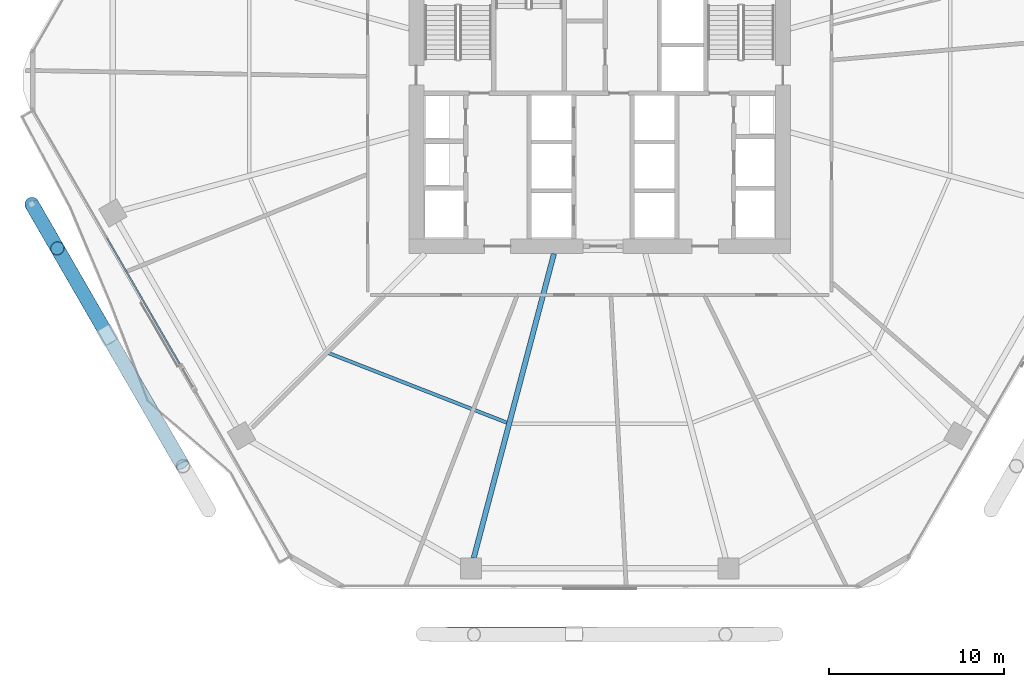
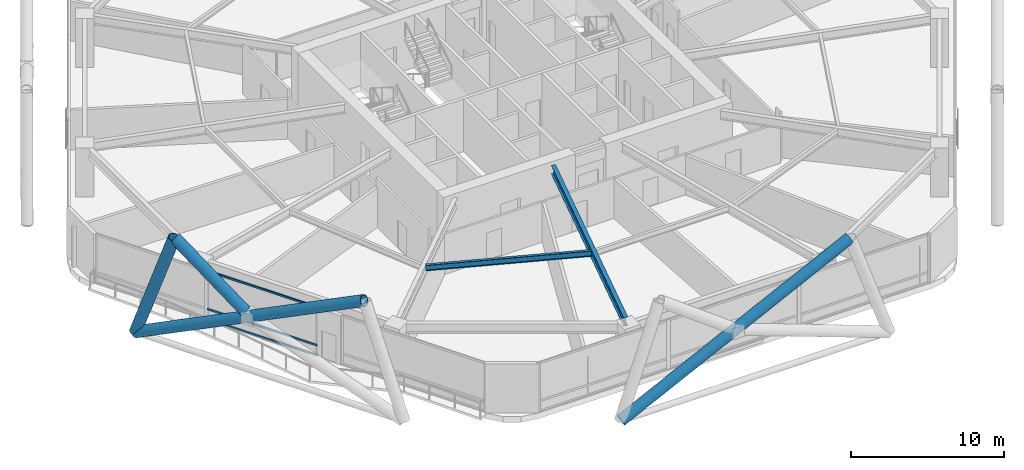
# One storey, part 4 of 31: 7 members, 2 beams, 1 element without a shape of its own.
"""IFC4 building model written with IfcOpenShell, lengths in metres."""

from ifc_helpers import new_model, si_unit, direction, frame, origin, origin_2d, place, context, subcontext, project, spatial, hollow_rectangle, hollow_circle, i_section, extrude, material, material_profile, profile_set, type_object, element, aggregate, save


model = new_model("IFC4")

# Units and contexts
model_context = context("Model", 3, precision=1e-05, world=origin(), true_north=direction((0.0, 1.0)))
body_context = subcontext(model_context, "Body", "Model", "MODEL_VIEW")
ifc_project = project(units=[si_unit("LENGTHUNIT", "METRE"), si_unit("AREAUNIT", "SQUARE_METRE"), si_unit("VOLUMEUNIT", "CUBIC_METRE"), si_unit("PLANEANGLEUNIT", "RADIAN"), si_unit("MASSUNIT", "GRAM", prefix="KILO")], contexts=[model_context])

# Site, building, storey
site_placement = place(None, origin())
site = spatial("IfcSite", under=ifc_project, at=site_placement, CompositionType="ELEMENT")
building_placement = place(site_placement, origin())
building = spatial("IfcBuilding", under=site, at=building_placement, Name="Zuhravey Tower", CompositionType="ELEMENT")
storey_placement = place(building_placement, frame((0.0, 0.0, 7.800048828125)))
storey = spatial("IfcBuildingStorey", under=building, at=storey_placement, Name="L02", CompositionType="ELEMENT", Elevation=7.800048828125)

# Curtain wall, members
ifc_material_1 = material(Name="Thermally broken anodised aluminium", Category="aluminium")
curtain_wall_type = type_object("IfcCurtainWallType", Name="School Low-E Unitised Curtain Wall CW1", PredefinedType="NOTDEFINED", material=ifc_material_1)
curtain_wall_placement = place(storey_placement, origin())
curtain_wall = element("IfcCurtainWall", 1, at=curtain_wall_placement, inside=storey, type_object=curtain_wall_type, Name="L02 CW1 CW-L02-F4-2", PredefinedType="NOTDEFINED")
ifc_material_2 = material(Name="Anodised aluminium", Category="aluminium")
ifc_material_profile_1 = material_profile(ifc_material_2, hollow_rectangle(XDim=0.090087890625, YDim=0.14990234375, WallThickness=0.0048828125, at=origin_2d()), Name="ALU-RHS-90x150x5")
ifc_profile_set_1 = profile_set([ifc_material_profile_1], Name="Anodised aluminium")
member_type_1 = type_object("IfcMemberType", Name="Curtain-Wall Transom 90x150", PredefinedType="USERDEFINED", material=ifc_profile_set_1)
member_1_placement = place(storey_placement, frame((11.93408203125, 15.766357421875, 0.044921875), z_axis=(-0.499997536004, 0.866026826368, 0.0), x_axis=(-0.866026826368, -0.499997536004, 0.0)))
member_1 = element("IfcMember", 2, at=member_1_placement, type_object=member_type_1, Name="CW1 transom 1.1", ObjectType="TRANSOM", PredefinedType="USERDEFINED", context=body_context, shape_type="SweptSolid", body=[
    extrude(hollow_rectangle(XDim=0.090087890625, YDim=0.14990234375, WallThickness=0.0048828125, at=origin_2d()), origin(), (0.0, 0.0, 1.0), 8.32275390625),
])
member_2_placement = place(storey_placement, frame((11.93408203125, 15.766357421875, 0.849853515625), z_axis=(-0.499997536004, 0.866026826368, 0.0), x_axis=(-0.866026826368, -0.499997536004, 0.0)))
member_2 = element("IfcMember", 3, at=member_2_placement, type_object=member_type_1, Name="CW1 transom 1.2", ObjectType="TRANSOM", PredefinedType="USERDEFINED", context=body_context, shape_type="SweptSolid", body=[
    extrude(hollow_rectangle(XDim=0.090087890625, YDim=0.14990234375, WallThickness=0.0048828125, at=origin_2d()), origin(), (0.0, 0.0, 1.0), 8.32275390625),
])
member_3_placement = place(storey_placement, frame((11.93408203125, 15.766357421875, 3.875), z_axis=(-0.499997536004, 0.866026826368, 0.0), x_axis=(-0.866026826368, -0.499997536004, 0.0)))
member_3 = element("IfcMember", 4, at=member_3_placement, type_object=member_type_1, Name="CW1 transom 1.3", ObjectType="TRANSOM", PredefinedType="USERDEFINED", context=body_context, shape_type="SweptSolid", body=[
    extrude(hollow_rectangle(XDim=0.090087890625, YDim=0.14990234375, WallThickness=0.0048828125, at=origin_2d()), origin(), (0.0, 0.0, 1.0), 8.32275390625),
])
aggregate(curtain_wall, [member_1, member_2, member_3])

# Members
ifc_material_3 = material(Name="Steel SM460", Category="steel")
ifc_material_profile_2 = material_profile(ifc_material_3, hollow_circle(Radius=0.406494140625, WallThickness=0.035888671875, at=origin_2d()), Name="CHS-812.8x36")
ifc_profile_set_2 = profile_set([ifc_material_profile_2], Name="Steel SM460")
member_type_2 = type_object("IfcMemberType", Name="Exoskeleton Zone 1 Diagrid CHS813x36", PredefinedType="BRACE", material=ifc_profile_set_2)
member_4_placement = place(storey_placement, frame((3.46630859375, 24.912841796875, -0.64208984375), z_axis=(0.162411926746, -0.281248600844, 0.945791515385), x_axis=(0.865981440664, 0.500076138629, 0.0)))
element("IfcMember", 5, at=member_4_placement, inside=storey, type_object=member_type_2, Name="L02 Face 4 Diagrid Brace 1", PredefinedType="BRACE", context=body_context, shape_type="SweptSolid", body=[
    extrude(hollow_circle(Radius=0.406494140625, WallThickness=0.035888671875, at=origin_2d()), origin(), (0.0, 0.0, 1.0), 9.014892578125),
])
member_5_placement = place(storey_placement, frame((3.48486328125, 24.880859375, -0.64208984375), z_axis=(0.448196185335, -0.776292902922, 0.443271370973), x_axis=(0.866023824709, 0.500002735028, 0.0)))
element("IfcMember", 6, at=member_5_placement, inside=storey, type_object=member_type_2, Name="L02 Face 4 Diagrid Brace 2", PredefinedType="BRACE", context=body_context, shape_type="SweptSolid", body=[
    extrude(hollow_circle(Radius=0.406494140625, WallThickness=0.035888671875, at=origin_2d()), origin(), (0.0, 0.0, 1.0), 19.234619140625),
])
member_6_placement = place(storey_placement, frame((7.63671875, 17.68994140625, 3.858642578125), z_axis=(-0.400255478798, 0.693207960005, 0.59938157786), x_axis=(-0.866008267802, -0.500029679218, 0.0)))
element("IfcMember", 7, at=member_6_placement, inside=storey, type_object=member_type_2, Name="L02 Face 4 Split Diagrid Brace 3B", PredefinedType="BRACE", context=body_context, shape_type="SweptSolid", body=[
    extrude(hollow_circle(Radius=0.406494140625, WallThickness=0.035888671875, at=origin_2d()), origin(), (0.0, 0.0, 1.0), 6.702880859375),
])
member_7_placement = place(storey_placement, frame((25.90771484375, 0.281494140625, -0.64208984375), z_axis=(0.896387338402, -0.001561208159, 0.443268882487), x_axis=(0.001741664261, 0.999998483302, 0.0)))
element("IfcMember", 8, at=member_7_placement, inside=storey, type_object=member_type_2, Name="L02 Face 5 Diagrid Brace 2", PredefinedType="BRACE", context=body_context, shape_type="SweptSolid", body=[
    extrude(hollow_circle(Radius=0.406494140625, WallThickness=0.035888671875, at=origin_2d()), origin(), (0.0, 0.0, 1.0), 19.234619140625),
])

# Beams
ifc_material_4 = material(Name="Steel SM355", Category="steel")
ifc_material_profile_3 = material_profile(ifc_material_4, i_section(OverallWidth=0.300048828125, OverallDepth=0.699951171875, WebThickness=0.012939453125, FlangeThickness=0.02392578125, at=origin_2d()), Name="H-700x300x13x24")
ifc_profile_set_3 = profile_set([ifc_material_profile_3], Name="Steel SM355")
beam_type_1 = type_object("IfcBeamType", Name="Radial Primary Girder H700x300", PredefinedType="BEAM", material=ifc_profile_set_3)
beam_1_placement = place(storey_placement, frame((33.382080078125, 22.072021484375, 3.570068359375), z_axis=(-0.254989720435, -0.966943763862, 0.0), x_axis=(0.966943763862, -0.254989720435, 0.0)))
element("IfcBeam", 9, at=beam_1_placement, inside=storey, type_object=beam_type_1, Name="L02 RG1 BM-L02-RAD-09", PredefinedType="BEAM", context=body_context, shape_type="SweptSolid", body=[
    extrude(i_section(OverallWidth=0.300048828125, OverallDepth=0.699951171875, WebThickness=0.012939453125, FlangeThickness=0.02392578125, at=origin_2d()), origin(), (0.0, 0.0, 1.0), 18.03369140625),
])
ifc_material_profile_4 = material_profile(ifc_material_4, i_section(OverallWidth=0.199951171875, OverallDepth=0.449951171875, WebThickness=0.009033203125, FlangeThickness=0.013916015625, at=origin_2d()), Name="H-450x200x9x14")
ifc_profile_set_4 = profile_set([ifc_material_profile_4], Name="Steel SM355")
beam_type_2 = type_object("IfcBeamType", Name="Secondary Floor Joist H450x200", PredefinedType="JOIST", material=ifc_profile_set_4)
beam_2_placement = place(storey_placement, frame((20.4599609375, 16.38427734375, 3.695068359375), z_axis=(0.931516535886, -0.363698973562, 0.0), x_axis=(0.363698973562, 0.931516535886, 0.0)))
element("IfcBeam", 10, at=beam_2_placement, inside=storey, type_object=beam_type_2, Name="L02 SJ1 BM-L02-SJ-08-1", PredefinedType="JOIST", context=body_context, shape_type="SweptSolid", body=[
    extrude(i_section(OverallWidth=0.199951171875, OverallDepth=0.449951171875, WebThickness=0.009033203125, FlangeThickness=0.013916015625, at=origin_2d()), origin(), (0.0, 0.0, 1.0), 10.963134765625),
])

save(model, "model.ifc")
